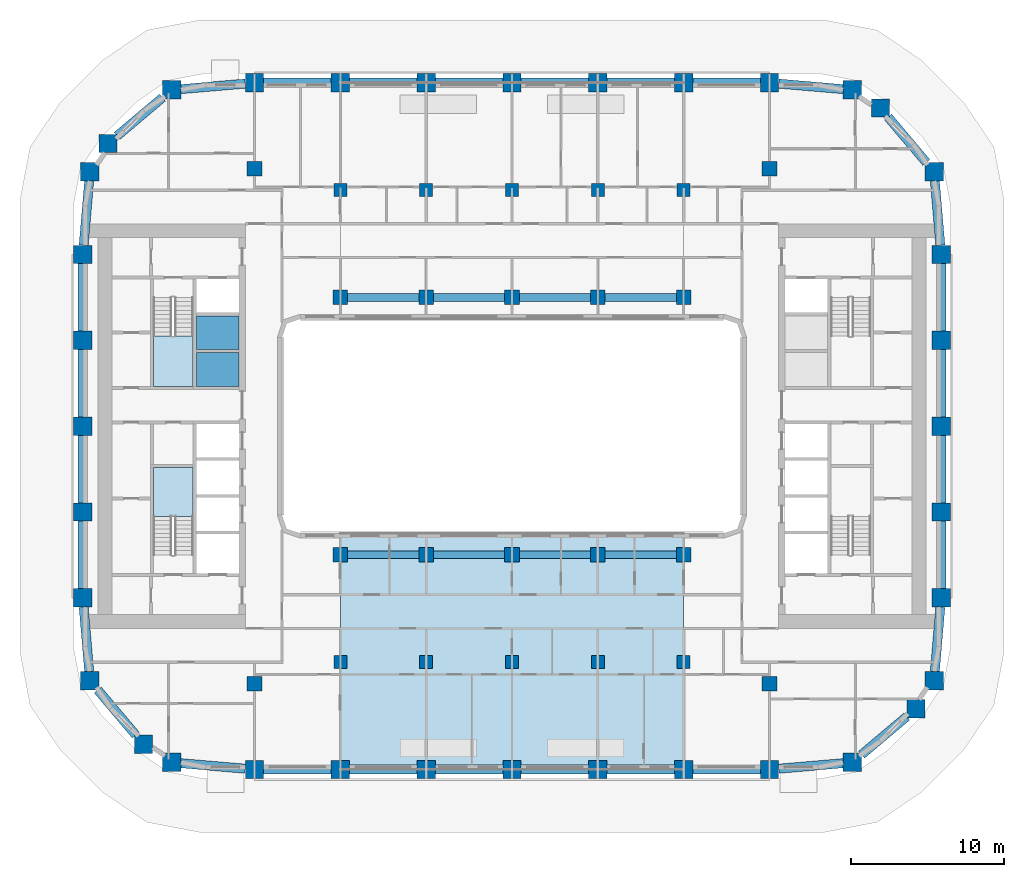
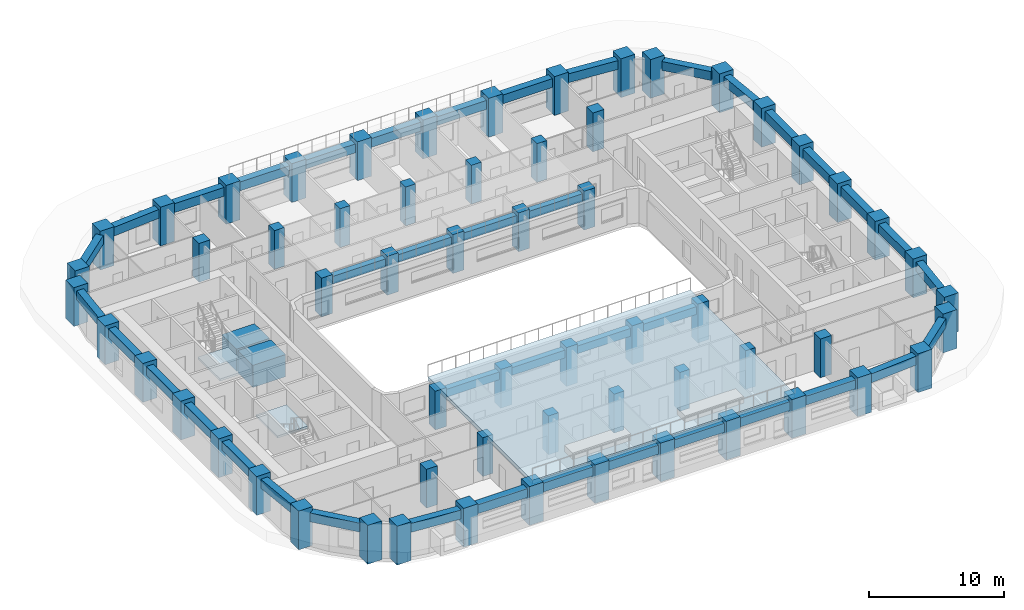
# One storey, part 1 of 18: 60 columns, 40 beams, 5 slabs, 2 elements without a shape of their own.
"""IFC4 building model written with IfcOpenShell, lengths in metres."""

from ifc_helpers import new_model, si_unit, direction, frame, origin, origin_2d, place, context, subcontext, project, spatial, polyline, rectangle, outline, extrude, material, layer, layer_set, material_profile, profile_set, type_object, element, aggregate, save


model = new_model("IFC4")

# Units and contexts
model_context = context("Model", 3, precision=1e-05, world=origin(), true_north=direction((0.0, 1.0)))
body_context = subcontext(model_context, "Body", "Model", "MODEL_VIEW")
ifc_project = project(units=[si_unit("LENGTHUNIT", "METRE"), si_unit("AREAUNIT", "SQUARE_METRE"), si_unit("VOLUMEUNIT", "CUBIC_METRE"), si_unit("PLANEANGLEUNIT", "RADIAN"), si_unit("MASSUNIT", "GRAM", prefix="KILO")], contexts=[model_context])

# Site, building, storey
site_placement = place(None, origin())
site = spatial("IfcSite", under=ifc_project, at=site_placement, CompositionType="ELEMENT")
building_placement = place(site_placement, origin())
building = spatial("IfcBuilding", under=site, at=building_placement, Name="Kiln Ring Residences", CompositionType="ELEMENT")
storey_placement = place(building_placement, frame((0.0, 0.0, 121.800048828125)))
storey = spatial("IfcBuildingStorey", under=building, at=storey_placement, Name="L31", CompositionType="ELEMENT", Elevation=121.800048828125)

# Columns
ifc_material_1 = material(Name="Concrete C80/95", Category="concrete")
ifc_material_profile_1 = material_profile(ifc_material_1, rectangle(XDim=0.85009765625, YDim=0.85009765625, at=origin_2d()), Name="RC850x850")
ifc_profile_set_1 = profile_set([ifc_material_profile_1], Name="Concrete C80/95")
column_type_1 = type_object("IfcColumnType", Name="Corridor column RC850x850 C80/95", PredefinedType="COLUMN", material=ifc_profile_set_1)
for number, where, z_axis, x_axis, name in (
    (1, (-11.199951171875, 15.39990234375, 0.0), (0.0, 0.0, 1.0), (1.0, 0.0, 0.0), "Corridor column L31 1"),
    (2, (-5.60009765625, 15.39990234375, 0.0), (0.0, 0.0, 1.0), (1.0, 0.0, 0.0), "Corridor column L31 2"),
    (3, (0.0, 15.39990234375, 0.0), (0.0, 0.0, 1.0), (1.0, 0.0, 0.0), "Corridor column L31 3"),
    (4, (5.60009765625, 15.39990234375, 0.0), (0.0, 0.0, 1.0), (1.0, 0.0, 0.0), "Corridor column L31 4"),
    (5, (11.199951171875, 15.39990234375, 0.0), (0.0, 0.0, 1.0), (1.0, 0.0, 0.0), "Corridor column L31 5"),
    (6, (-11.199951171875, -15.39990234375, 0.0), (0.0, 0.0, 1.0), (1.0, 0.0, 0.0), "Corridor column L31 6"),
    (7, (-5.60009765625, -15.39990234375, 0.0), (0.0, 0.0, 1.0), (1.0, 0.0, 0.0), "Corridor column L31 7"),
    (8, (0.0, -15.39990234375, 0.0), (0.0, 0.0, 1.0), (1.0, 0.0, 0.0), "Corridor column L31 8"),
    (9, (5.60009765625, -15.39990234375, 0.0), (0.0, 0.0, 1.0), (1.0, 0.0, 0.0), "Corridor column L31 9"),
    (10, (11.199951171875, -15.39990234375, 0.0), (0.0, 0.0, 1.0), (1.0, 0.0, 0.0), "Corridor column L31 10"),
):
    element("IfcColumn", number, at=place(storey_placement, frame(where, z_axis=z_axis, x_axis=x_axis)), inside=storey, type_object=column_type_1, Name=name, PredefinedType="COLUMN", context=body_context, shape_type="SweptSolid", body=[
        extrude(rectangle(XDim=0.85009765625, YDim=0.85009765625, at=origin_2d()), origin(), (0.0, 0.0, 1.0), 3.5),
    ])
ifc_material_2 = material(Name="Concrete C80/95", Category="concrete")
ifc_material_profile_2 = material_profile(ifc_material_2, rectangle(XDim=1.199951171875, YDim=1.199951171875, at=origin_2d()), Name="RC1200x1200")
ifc_profile_set_2 = profile_set([ifc_material_profile_2], Name="Concrete C80/95")
column_type_2 = type_object("IfcColumnType", Name="Perimeter column RC1200x1200 C80/95", PredefinedType="COLUMN", material=ifc_profile_set_2)
for number, where, z_axis, x_axis, name in (
    (11, (-22.208740234375, -21.93798828125, 0.0), (0.0, 0.0, 1.0), (1.0, 0.0, 0.0), "Perimeter column L31 1"),
    (12, (-16.800048828125, -22.39990234375, 0.0), (0.0, 0.0, 1.0), (1.0, 0.0, 0.0), "Perimeter column L31 2"),
    (13, (-11.199951171875, -22.39990234375, 0.0), (0.0, 0.0, 1.0), (1.0, 0.0, 0.0), "Perimeter column L31 3"),
    (14, (-5.60009765625, -22.39990234375, 0.0), (0.0, 0.0, 1.0), (1.0, 0.0, 0.0), "Perimeter column L31 4"),
    (15, (0.0, -22.39990234375, 0.0), (0.0, 0.0, 1.0), (1.0, 0.0, 0.0), "Perimeter column L31 5"),
    (16, (5.60009765625, -22.39990234375, 0.0), (0.0, 0.0, 1.0), (1.0, 0.0, 0.0), "Perimeter column L31 6"),
    (17, (11.199951171875, -22.39990234375, 0.0), (0.0, 0.0, 1.0), (1.0, 0.0, 0.0), "Perimeter column L31 7"),
    (18, (16.800048828125, -22.39990234375, 0.0), (0.0, 0.0, 1.0), (1.0, 0.0, 0.0), "Perimeter column L31 8"),
    (19, (22.208740234375, -21.93798828125, 0.0), (0.0, 0.0, 1.0), (1.0, 0.0, 0.0), "Perimeter column L31 9"),
    (20, (26.35986328125, -18.440185546875, 0.0), (0.0, 0.0, 1.0), (1.0, 0.0, 0.0), "Perimeter column L31 10"),
    (21, (27.5380859375, -16.608642578125, 0.0), (0.0, 0.0, 1.0), (1.0, 0.0, 0.0), "Perimeter column L31 11"),
    (22, (28.0, -11.199951171875, 0.0), (0.0, 0.0, 1.0), (1.0, 0.0, 0.0), "Perimeter column L31 12"),
    (23, (28.0, -5.60009765625, 0.0), (0.0, 0.0, 1.0), (1.0, 0.0, 0.0), "Perimeter column L31 13"),
    (24, (28.0, 0.0, 0.0), (0.0, 0.0, 1.0), (1.0, 0.0, 0.0), "Perimeter column L31 14"),
    (25, (28.0, 5.60009765625, 0.0), (0.0, 0.0, 1.0), (1.0, 0.0, 0.0), "Perimeter column L31 15"),
    (26, (28.0, 11.199951171875, 0.0), (0.0, 0.0, 1.0), (1.0, 0.0, 0.0), "Perimeter column L31 16"),
    (27, (27.5380859375, 16.608642578125, 0.0), (0.0, 0.0, 1.0), (1.0, 0.0, 0.0), "Perimeter column L31 17"),
    (28, (24.040283203125, 20.759765625, 0.0), (0.0, 0.0, 1.0), (1.0, 0.0, 0.0), "Perimeter column L31 18"),
    (29, (22.208740234375, 21.93798828125, 0.0), (0.0, 0.0, 1.0), (1.0, 0.0, 0.0), "Perimeter column L31 19"),
    (30, (16.800048828125, 22.39990234375, 0.0), (0.0, 0.0, 1.0), (1.0, 0.0, 0.0), "Perimeter column L31 20"),
    (31, (11.199951171875, 22.39990234375, 0.0), (0.0, 0.0, 1.0), (1.0, 0.0, 0.0), "Perimeter column L31 21"),
    (32, (5.60009765625, 22.39990234375, 0.0), (0.0, 0.0, 1.0), (1.0, 0.0, 0.0), "Perimeter column L31 22"),
    (33, (0.0, 22.39990234375, 0.0), (0.0, 0.0, 1.0), (1.0, 0.0, 0.0), "Perimeter column L31 23"),
    (34, (-5.60009765625, 22.39990234375, 0.0), (0.0, 0.0, 1.0), (1.0, 0.0, 0.0), "Perimeter column L31 24"),
    (35, (-11.199951171875, 22.39990234375, 0.0), (0.0, 0.0, 1.0), (1.0, 0.0, 0.0), "Perimeter column L31 25"),
    (36, (-16.800048828125, 22.39990234375, 0.0), (0.0, 0.0, 1.0), (1.0, 0.0, 0.0), "Perimeter column L31 26"),
    (37, (-22.208740234375, 21.93798828125, 0.0), (0.0, 0.0, 1.0), (1.0, 0.0, 0.0), "Perimeter column L31 27"),
    (38, (-26.35986328125, 18.440185546875, 0.0), (0.0, 0.0, 1.0), (1.0, 0.0, 0.0), "Perimeter column L31 28"),
    (39, (-27.5380859375, 16.608642578125, 0.0), (0.0, 0.0, 1.0), (1.0, 0.0, 0.0), "Perimeter column L31 29"),
    (40, (-28.0, 11.199951171875, 0.0), (0.0, 0.0, 1.0), (1.0, 0.0, 0.0), "Perimeter column L31 30"),
    (41, (-28.0, 5.60009765625, 0.0), (0.0, 0.0, 1.0), (1.0, 0.0, 0.0), "Perimeter column L31 31"),
    (42, (-28.0, 0.0, 0.0), (0.0, 0.0, 1.0), (1.0, 0.0, 0.0), "Perimeter column L31 32"),
    (43, (-28.0, -5.60009765625, 0.0), (0.0, 0.0, 1.0), (1.0, 0.0, 0.0), "Perimeter column L31 33"),
    (44, (-28.0, -11.199951171875, 0.0), (0.0, 0.0, 1.0), (1.0, 0.0, 0.0), "Perimeter column L31 34"),
    (45, (-27.5380859375, -16.608642578125, 0.0), (0.0, 0.0, 1.0), (1.0, 0.0, 0.0), "Perimeter column L31 35"),
    (46, (-24.040283203125, -20.759765625, 0.0), (0.0, 0.0, 1.0), (1.0, 0.0, 0.0), "Perimeter column L31 36"),
):
    element("IfcColumn", number, at=place(storey_placement, frame(where, z_axis=z_axis, x_axis=x_axis)), inside=storey, type_object=column_type_2, Name=name, PredefinedType="COLUMN", context=body_context, shape_type="SweptSolid", body=[
        extrude(rectangle(XDim=1.199951171875, YDim=1.199951171875, at=origin_2d()), origin(), (0.0, 0.0, 1.0), 3.5),
    ])
ifc_material_3 = material(Name="Concrete C80/95", Category="concrete")
ifc_material_profile_3 = material_profile(ifc_material_3, rectangle(XDim=0.949951171875, YDim=0.949951171875, at=origin_2d()), Name="RC950x950")
ifc_profile_set_3 = profile_set([ifc_material_profile_3], Name="Concrete C80/95")
column_type_3 = type_object("IfcColumnType", Name="Ring column RC950x950 C80/95", PredefinedType="COLUMN", material=ifc_profile_set_3)
for number, where, z_axis, x_axis, name in (
    (47, (-16.800048828125, -16.800048828125, 0.0), (0.0, 0.0, 1.0), (1.0, 0.0, 0.0), "Ring column L31 1"),
    (48, (-16.800048828125, 16.800048828125, 0.0), (0.0, 0.0, 1.0), (1.0, 0.0, 0.0), "Ring column L31 2"),
    (49, (-11.199951171875, -8.39990234375, 0.0), (0.0, 0.0, 1.0), (1.0, 0.0, 0.0), "Ring column L31 3"),
    (50, (-11.199951171875, 8.39990234375, 0.0), (0.0, 0.0, 1.0), (1.0, 0.0, 0.0), "Ring column L31 4"),
    (51, (-5.60009765625, -8.39990234375, 0.0), (0.0, 0.0, 1.0), (1.0, 0.0, 0.0), "Ring column L31 5"),
    (52, (-5.60009765625, 8.39990234375, 0.0), (0.0, 0.0, 1.0), (1.0, 0.0, 0.0), "Ring column L31 6"),
    (53, (0.0, -8.39990234375, 0.0), (0.0, 0.0, 1.0), (1.0, 0.0, 0.0), "Ring column L31 7"),
    (54, (0.0, 8.39990234375, 0.0), (0.0, 0.0, 1.0), (1.0, 0.0, 0.0), "Ring column L31 8"),
    (55, (5.60009765625, -8.39990234375, 0.0), (0.0, 0.0, 1.0), (1.0, 0.0, 0.0), "Ring column L31 9"),
    (56, (5.60009765625, 8.39990234375, 0.0), (0.0, 0.0, 1.0), (1.0, 0.0, 0.0), "Ring column L31 10"),
    (57, (11.199951171875, -8.39990234375, 0.0), (0.0, 0.0, 1.0), (1.0, 0.0, 0.0), "Ring column L31 11"),
    (58, (11.199951171875, 8.39990234375, 0.0), (0.0, 0.0, 1.0), (1.0, 0.0, 0.0), "Ring column L31 12"),
    (59, (16.800048828125, -16.800048828125, 0.0), (0.0, 0.0, 1.0), (1.0, 0.0, 0.0), "Ring column L31 13"),
    (60, (16.800048828125, 16.800048828125, 0.0), (0.0, 0.0, 1.0), (1.0, 0.0, 0.0), "Ring column L31 14"),
):
    element("IfcColumn", number, at=place(storey_placement, frame(where, z_axis=z_axis, x_axis=x_axis)), inside=storey, type_object=column_type_3, Name=name, PredefinedType="COLUMN", context=body_context, shape_type="SweptSolid", body=[
        extrude(rectangle(XDim=0.949951171875, YDim=0.949951171875, at=origin_2d()), origin(), (0.0, 0.0, 1.0), 3.5),
    ])

# Beams
ifc_material_4 = material(Name="Concrete C50/60", Category="concrete")
ifc_material_profile_4 = material_profile(ifc_material_4, rectangle(XDim=0.5, YDim=0.699951171875, at=origin_2d()), Name="RC500x700")
ifc_profile_set_4 = profile_set([ifc_material_profile_4], Name="Concrete C50/60")
beam_type_1 = type_object("IfcBeamType", Name="Ring beam RC500x700 C50/60", PredefinedType="BEAM", material=ifc_profile_set_4)
beam_1_placement = place(storey_placement, frame((-10.72509765625, -8.39990234375, 2.800048828125), z_axis=(1.0, 0.0, 0.0), x_axis=(0.0, 1.0, 0.0)))
element("IfcBeam", 61, at=beam_1_placement, inside=storey, type_object=beam_type_1, Name="Ring beam L31 1", PredefinedType="BEAM", context=body_context, shape_type="SweptSolid", body=[
    extrude(rectangle(XDim=0.5, YDim=0.699951171875, at=origin_2d()), origin(), (0.0, 0.0, 1.0), 4.650146484375),
])
for number, where, z_axis, x_axis, name in (
    (62, (-5.125, -8.39990234375, 2.800048828125), (1.0, 0.0, 0.0), (0.0, 1.0, 0.0), "Ring beam L31 2"),
    (63, (0.47509765625, -8.39990234375, 2.800048828125), (1.0, 0.0, 0.0), (0.0, 1.0, 0.0), "Ring beam L31 3"),
):
    element("IfcBeam", number, at=place(storey_placement, frame(where, z_axis=z_axis, x_axis=x_axis)), inside=storey, type_object=beam_type_1, Name=name, PredefinedType="BEAM", context=body_context, shape_type="SweptSolid", body=[
        extrude(rectangle(XDim=0.5, YDim=0.699951171875, at=origin_2d()), origin(), (0.0, 0.0, 1.0), 4.64990234375),
    ])
for number, where, z_axis, x_axis, name in (
    (64, (6.074951171875, -8.39990234375, 2.800048828125), (1.0, 0.0, 0.0), (0.0, 1.0, 0.0), "Ring beam L31 4"),
    (65, (-10.72509765625, 8.39990234375, 2.800048828125), (1.0, 0.0, 0.0), (0.0, 1.0, 0.0), "Ring beam L31 5"),
):
    element("IfcBeam", number, at=place(storey_placement, frame(where, z_axis=z_axis, x_axis=x_axis)), inside=storey, type_object=beam_type_1, Name=name, PredefinedType="BEAM", context=body_context, shape_type="SweptSolid", body=[
        extrude(rectangle(XDim=0.5, YDim=0.699951171875, at=origin_2d()), origin(), (0.0, 0.0, 1.0), 4.650146484375),
    ])
for number, where, z_axis, x_axis, name in (
    (66, (-5.125, 8.39990234375, 2.800048828125), (1.0, 0.0, 0.0), (0.0, 1.0, 0.0), "Ring beam L31 6"),
    (67, (0.47509765625, 8.39990234375, 2.800048828125), (1.0, 0.0, 0.0), (0.0, 1.0, 0.0), "Ring beam L31 7"),
):
    element("IfcBeam", number, at=place(storey_placement, frame(where, z_axis=z_axis, x_axis=x_axis)), inside=storey, type_object=beam_type_1, Name=name, PredefinedType="BEAM", context=body_context, shape_type="SweptSolid", body=[
        extrude(rectangle(XDim=0.5, YDim=0.699951171875, at=origin_2d()), origin(), (0.0, 0.0, 1.0), 4.64990234375),
    ])
beam_2_placement = place(storey_placement, frame((6.074951171875, 8.39990234375, 2.800048828125), z_axis=(1.0, 0.0, 0.0), x_axis=(0.0, 1.0, 0.0)))
element("IfcBeam", 68, at=beam_2_placement, inside=storey, type_object=beam_type_1, Name="Ring beam L31 8", PredefinedType="BEAM", context=body_context, shape_type="SweptSolid", body=[
    extrude(rectangle(XDim=0.5, YDim=0.699951171875, at=origin_2d()), origin(), (0.0, 0.0, 1.0), 4.650146484375),
])
ifc_material_5 = material(Name="Concrete C50/60", Category="concrete")
ifc_material_profile_5 = material_profile(ifc_material_5, rectangle(XDim=0.60009765625, YDim=0.800048828125, at=origin_2d()), Name="RC600x800")
ifc_profile_set_5 = profile_set([ifc_material_profile_5], Name="Concrete C50/60")
beam_type_2 = type_object("IfcBeamType", Name="Spandrel beam RC600x800 C50/60", PredefinedType="SPANDREL", material=ifc_profile_set_5)
beam_3_placement = place(storey_placement, frame((-21.608642578125, -21.9892578125, 2.75), z_axis=(0.996369376645, -0.085135570033, 0.0), x_axis=(0.085135570033, 0.996369376645, 0.0)))
element("IfcBeam", 69, at=beam_3_placement, inside=storey, type_object=beam_type_2, Name="Spandrel beam L31 1", PredefinedType="SPANDREL", context=body_context, shape_type="SweptSolid", body=[
    extrude(rectangle(XDim=0.60009765625, YDim=0.800048828125, at=origin_2d()), origin(), (0.0, 0.0, 1.0), 4.22412109375),
])
beam_4_placement = place(storey_placement, frame((-16.199951171875, -22.39990234375, 2.75), z_axis=(1.0, 0.0, 0.0), x_axis=(0.0, 1.0, 0.0)))
element("IfcBeam", 70, at=beam_4_placement, inside=storey, type_object=beam_type_2, Name="Spandrel beam L31 2", PredefinedType="SPANDREL", context=body_context, shape_type="SweptSolid", body=[
    extrude(rectangle(XDim=0.60009765625, YDim=0.800048828125, at=origin_2d()), origin(), (0.0, 0.0, 1.0), 4.39990234375),
])
beam_5_placement = place(storey_placement, frame((-10.60009765625, -22.39990234375, 2.75), z_axis=(1.0, 0.0, 0.0), x_axis=(0.0, 1.0, 0.0)))
element("IfcBeam", 71, at=beam_5_placement, inside=storey, type_object=beam_type_2, Name="Spandrel beam L31 3", PredefinedType="SPANDREL", context=body_context, shape_type="SweptSolid", body=[
    extrude(rectangle(XDim=0.60009765625, YDim=0.800048828125, at=origin_2d()), origin(), (0.0, 0.0, 1.0), 4.400146484375),
])
for number, where, z_axis, x_axis, name in (
    (72, (-5.0, -22.39990234375, 2.75), (1.0, 0.0, 0.0), (0.0, 1.0, 0.0), "Spandrel beam L31 4"),
    (73, (0.60009765625, -22.39990234375, 2.75), (1.0, 0.0, 0.0), (0.0, 1.0, 0.0), "Spandrel beam L31 5"),
):
    element("IfcBeam", number, at=place(storey_placement, frame(where, z_axis=z_axis, x_axis=x_axis)), inside=storey, type_object=beam_type_2, Name=name, PredefinedType="SPANDREL", context=body_context, shape_type="SweptSolid", body=[
        extrude(rectangle(XDim=0.60009765625, YDim=0.800048828125, at=origin_2d()), origin(), (0.0, 0.0, 1.0), 4.39990234375),
    ])
beam_6_placement = place(storey_placement, frame((6.199951171875, -22.39990234375, 2.75), z_axis=(1.0, 0.0, 0.0), x_axis=(0.0, 1.0, 0.0)))
element("IfcBeam", 74, at=beam_6_placement, inside=storey, type_object=beam_type_2, Name="Spandrel beam L31 6", PredefinedType="SPANDREL", context=body_context, shape_type="SweptSolid", body=[
    extrude(rectangle(XDim=0.60009765625, YDim=0.800048828125, at=origin_2d()), origin(), (0.0, 0.0, 1.0), 4.400146484375),
])
beam_7_placement = place(storey_placement, frame((11.800048828125, -22.39990234375, 2.75), z_axis=(1.0, 0.0, 0.0), x_axis=(0.0, 1.0, 0.0)))
element("IfcBeam", 75, at=beam_7_placement, inside=storey, type_object=beam_type_2, Name="Spandrel beam L31 7", PredefinedType="SPANDREL", context=body_context, shape_type="SweptSolid", body=[
    extrude(rectangle(XDim=0.60009765625, YDim=0.800048828125, at=origin_2d()), origin(), (0.0, 0.0, 1.0), 4.39990234375),
])
beam_8_placement = place(storey_placement, frame((17.39990234375, -22.348876953125, 2.75), z_axis=(0.996369376645, 0.085135570033, 0.0), x_axis=(-0.085135570033, 0.996369376645, 0.0)))
element("IfcBeam", 76, at=beam_8_placement, inside=storey, type_object=beam_type_2, Name="Spandrel beam L31 8", PredefinedType="SPANDREL", context=body_context, shape_type="SweptSolid", body=[
    extrude(rectangle(XDim=0.60009765625, YDim=0.800048828125, at=origin_2d()), origin(), (0.0, 0.0, 1.0), 4.22412109375),
])
beam_9_placement = place(storey_placement, frame((22.80859375, -21.4326171875, 2.75), z_axis=(0.764704456802, 0.644381171161, 0.0), x_axis=(-0.644381171161, 0.764704456802, 0.0)))
element("IfcBeam", 77, at=beam_9_placement, inside=storey, type_object=beam_type_2, Name="Spandrel beam L31 9", PredefinedType="SPANDREL", context=body_context, shape_type="SweptSolid", body=[
    extrude(rectangle(XDim=0.60009765625, YDim=0.800048828125, at=origin_2d()), origin(), (0.0, 0.0, 1.0), 3.859130859375),
])
beam_10_placement = place(storey_placement, frame((27.58935546875, -16.0087890625, 2.75), z_axis=(0.085078191129, 0.996374277766, 0.0), x_axis=(-0.996374277766, 0.085078191129, 0.0)))
element("IfcBeam", 78, at=beam_10_placement, inside=storey, type_object=beam_type_2, Name="Spandrel beam L31 10", PredefinedType="SPANDREL", context=body_context, shape_type="SweptSolid", body=[
    extrude(rectangle(XDim=0.60009765625, YDim=0.800048828125, at=origin_2d()), origin(), (0.0, 0.0, 1.0), 4.22412109375),
])
beam_11_placement = place(storey_placement, frame((28.0, -10.60009765625, 2.75), z_axis=(0.0, 1.0, 0.0), x_axis=(-1.0, 0.0, 0.0)))
element("IfcBeam", 79, at=beam_11_placement, inside=storey, type_object=beam_type_2, Name="Spandrel beam L31 11", PredefinedType="SPANDREL", context=body_context, shape_type="SweptSolid", body=[
    extrude(rectangle(XDim=0.60009765625, YDim=0.800048828125, at=origin_2d()), origin(), (0.0, 0.0, 1.0), 4.400146484375),
])
for number, where, z_axis, x_axis, name in (
    (80, (28.0, -5.0, 2.75), (0.0, 1.0, 0.0), (-1.0, 0.0, 0.0), "Spandrel beam L31 12"),
    (81, (28.0, 0.60009765625, 2.75), (0.0, 1.0, 0.0), (-1.0, 0.0, 0.0), "Spandrel beam L31 13"),
):
    element("IfcBeam", number, at=place(storey_placement, frame(where, z_axis=z_axis, x_axis=x_axis)), inside=storey, type_object=beam_type_2, Name=name, PredefinedType="SPANDREL", context=body_context, shape_type="SweptSolid", body=[
        extrude(rectangle(XDim=0.60009765625, YDim=0.800048828125, at=origin_2d()), origin(), (0.0, 0.0, 1.0), 4.39990234375),
    ])
beam_12_placement = place(storey_placement, frame((28.0, 6.199951171875, 2.75), z_axis=(0.0, 1.0, 0.0), x_axis=(-1.0, 0.0, 0.0)))
element("IfcBeam", 82, at=beam_12_placement, inside=storey, type_object=beam_type_2, Name="Spandrel beam L31 14", PredefinedType="SPANDREL", context=body_context, shape_type="SweptSolid", body=[
    extrude(rectangle(XDim=0.60009765625, YDim=0.800048828125, at=origin_2d()), origin(), (0.0, 0.0, 1.0), 4.400146484375),
])
beam_13_placement = place(storey_placement, frame((27.94873046875, 11.800048828125, 2.75), z_axis=(-0.085078191129, 0.996374277766, 0.0), x_axis=(-0.996374277766, -0.085078191129, 0.0)))
element("IfcBeam", 83, at=beam_13_placement, inside=storey, type_object=beam_type_2, Name="Spandrel beam L31 15", PredefinedType="SPANDREL", context=body_context, shape_type="SweptSolid", body=[
    extrude(rectangle(XDim=0.60009765625, YDim=0.800048828125, at=origin_2d()), origin(), (0.0, 0.0, 1.0), 4.22412109375),
])
beam_14_placement = place(storey_placement, frame((27.032470703125, 17.208740234375, 2.75), z_axis=(-0.644344175314, 0.764735629965, 0.0), x_axis=(-0.764735629965, -0.644344175314, 0.0)))
element("IfcBeam", 84, at=beam_14_placement, inside=storey, type_object=beam_type_2, Name="Spandrel beam L31 16", PredefinedType="SPANDREL", context=body_context, shape_type="SweptSolid", body=[
    extrude(rectangle(XDim=0.60009765625, YDim=0.800048828125, at=origin_2d()), origin(), (0.0, 0.0, 1.0), 3.859130859375),
])
beam_15_placement = place(storey_placement, frame((21.608642578125, 21.9892578125, 2.75), z_axis=(-0.996369376645, 0.085135570033, 0.0), x_axis=(-0.085135570033, -0.996369376645, 0.0)))
element("IfcBeam", 85, at=beam_15_placement, inside=storey, type_object=beam_type_2, Name="Spandrel beam L31 17", PredefinedType="SPANDREL", context=body_context, shape_type="SweptSolid", body=[
    extrude(rectangle(XDim=0.60009765625, YDim=0.800048828125, at=origin_2d()), origin(), (0.0, 0.0, 1.0), 4.22412109375),
])
beam_16_placement = place(storey_placement, frame((16.199951171875, 22.39990234375, 2.75), z_axis=(-1.0, 0.0, 0.0), x_axis=(0.0, -1.0, 0.0)))
element("IfcBeam", 86, at=beam_16_placement, inside=storey, type_object=beam_type_2, Name="Spandrel beam L31 18", PredefinedType="SPANDREL", context=body_context, shape_type="SweptSolid", body=[
    extrude(rectangle(XDim=0.60009765625, YDim=0.800048828125, at=origin_2d()), origin(), (0.0, 0.0, 1.0), 4.39990234375),
])
beam_17_placement = place(storey_placement, frame((10.60009765625, 22.39990234375, 2.75), z_axis=(-1.0, 0.0, 0.0), x_axis=(0.0, -1.0, 0.0)))
element("IfcBeam", 87, at=beam_17_placement, inside=storey, type_object=beam_type_2, Name="Spandrel beam L31 19", PredefinedType="SPANDREL", context=body_context, shape_type="SweptSolid", body=[
    extrude(rectangle(XDim=0.60009765625, YDim=0.800048828125, at=origin_2d()), origin(), (0.0, 0.0, 1.0), 4.400146484375),
])
for number, where, z_axis, x_axis, name in (
    (88, (5.0, 22.39990234375, 2.75), (-1.0, 0.0, 0.0), (0.0, -1.0, 0.0), "Spandrel beam L31 20"),
    (89, (-0.60009765625, 22.39990234375, 2.75), (-1.0, 0.0, 0.0), (0.0, -1.0, 0.0), "Spandrel beam L31 21"),
):
    element("IfcBeam", number, at=place(storey_placement, frame(where, z_axis=z_axis, x_axis=x_axis)), inside=storey, type_object=beam_type_2, Name=name, PredefinedType="SPANDREL", context=body_context, shape_type="SweptSolid", body=[
        extrude(rectangle(XDim=0.60009765625, YDim=0.800048828125, at=origin_2d()), origin(), (0.0, 0.0, 1.0), 4.39990234375),
    ])
beam_18_placement = place(storey_placement, frame((-6.199951171875, 22.39990234375, 2.75), z_axis=(-1.0, 0.0, 0.0), x_axis=(0.0, -1.0, 0.0)))
element("IfcBeam", 90, at=beam_18_placement, inside=storey, type_object=beam_type_2, Name="Spandrel beam L31 22", PredefinedType="SPANDREL", context=body_context, shape_type="SweptSolid", body=[
    extrude(rectangle(XDim=0.60009765625, YDim=0.800048828125, at=origin_2d()), origin(), (0.0, 0.0, 1.0), 4.400146484375),
])
beam_19_placement = place(storey_placement, frame((-11.800048828125, 22.39990234375, 2.75), z_axis=(-1.0, 0.0, 0.0), x_axis=(0.0, -1.0, 0.0)))
element("IfcBeam", 91, at=beam_19_placement, inside=storey, type_object=beam_type_2, Name="Spandrel beam L31 23", PredefinedType="SPANDREL", context=body_context, shape_type="SweptSolid", body=[
    extrude(rectangle(XDim=0.60009765625, YDim=0.800048828125, at=origin_2d()), origin(), (0.0, 0.0, 1.0), 4.39990234375),
])
beam_20_placement = place(storey_placement, frame((-17.39990234375, 22.348876953125, 2.75), z_axis=(-0.996369376645, -0.085135570033, 0.0), x_axis=(0.085135570033, -0.996369376645, 0.0)))
element("IfcBeam", 92, at=beam_20_placement, inside=storey, type_object=beam_type_2, Name="Spandrel beam L31 24", PredefinedType="SPANDREL", context=body_context, shape_type="SweptSolid", body=[
    extrude(rectangle(XDim=0.60009765625, YDim=0.800048828125, at=origin_2d()), origin(), (0.0, 0.0, 1.0), 4.22412109375),
])
beam_21_placement = place(storey_placement, frame((-22.80859375, 21.4326171875, 2.75), z_axis=(-0.764704456802, -0.644381171161, 0.0), x_axis=(0.644381171161, -0.764704456802, 0.0)))
element("IfcBeam", 93, at=beam_21_placement, inside=storey, type_object=beam_type_2, Name="Spandrel beam L31 25", PredefinedType="SPANDREL", context=body_context, shape_type="SweptSolid", body=[
    extrude(rectangle(XDim=0.60009765625, YDim=0.800048828125, at=origin_2d()), origin(), (0.0, 0.0, 1.0), 3.859130859375),
])
beam_22_placement = place(storey_placement, frame((-27.58935546875, 16.0087890625, 2.75), z_axis=(-0.085078191129, -0.996374277766, 0.0), x_axis=(0.996374277766, -0.085078191129, 0.0)))
element("IfcBeam", 94, at=beam_22_placement, inside=storey, type_object=beam_type_2, Name="Spandrel beam L31 26", PredefinedType="SPANDREL", context=body_context, shape_type="SweptSolid", body=[
    extrude(rectangle(XDim=0.60009765625, YDim=0.800048828125, at=origin_2d()), origin(), (0.0, 0.0, 1.0), 4.22412109375),
])
beam_23_placement = place(storey_placement, frame((-28.0, 10.60009765625, 2.75), z_axis=(0.0, -1.0, 0.0), x_axis=(1.0, 0.0, 0.0)))
element("IfcBeam", 95, at=beam_23_placement, inside=storey, type_object=beam_type_2, Name="Spandrel beam L31 27", PredefinedType="SPANDREL", context=body_context, shape_type="SweptSolid", body=[
    extrude(rectangle(XDim=0.60009765625, YDim=0.800048828125, at=origin_2d()), origin(), (0.0, 0.0, 1.0), 4.400146484375),
])
for number, where, z_axis, x_axis, name in (
    (96, (-28.0, 5.0, 2.75), (0.0, -1.0, 0.0), (1.0, 0.0, 0.0), "Spandrel beam L31 28"),
    (97, (-28.0, -0.60009765625, 2.75), (0.0, -1.0, 0.0), (1.0, 0.0, 0.0), "Spandrel beam L31 29"),
):
    element("IfcBeam", number, at=place(storey_placement, frame(where, z_axis=z_axis, x_axis=x_axis)), inside=storey, type_object=beam_type_2, Name=name, PredefinedType="SPANDREL", context=body_context, shape_type="SweptSolid", body=[
        extrude(rectangle(XDim=0.60009765625, YDim=0.800048828125, at=origin_2d()), origin(), (0.0, 0.0, 1.0), 4.39990234375),
    ])
beam_24_placement = place(storey_placement, frame((-28.0, -6.199951171875, 2.75), z_axis=(0.0, -1.0, 0.0), x_axis=(1.0, 0.0, 0.0)))
element("IfcBeam", 98, at=beam_24_placement, inside=storey, type_object=beam_type_2, Name="Spandrel beam L31 30", PredefinedType="SPANDREL", context=body_context, shape_type="SweptSolid", body=[
    extrude(rectangle(XDim=0.60009765625, YDim=0.800048828125, at=origin_2d()), origin(), (0.0, 0.0, 1.0), 4.400146484375),
])
beam_25_placement = place(storey_placement, frame((-27.94873046875, -11.800048828125, 2.75), z_axis=(0.085078191129, -0.996374277766, 0.0), x_axis=(0.996374277766, 0.085078191129, 0.0)))
element("IfcBeam", 99, at=beam_25_placement, inside=storey, type_object=beam_type_2, Name="Spandrel beam L31 31", PredefinedType="SPANDREL", context=body_context, shape_type="SweptSolid", body=[
    extrude(rectangle(XDim=0.60009765625, YDim=0.800048828125, at=origin_2d()), origin(), (0.0, 0.0, 1.0), 4.22412109375),
])
beam_26_placement = place(storey_placement, frame((-27.032470703125, -17.208740234375, 2.75), z_axis=(0.644344175314, -0.764735629965, 0.0), x_axis=(0.764735629965, 0.644344175314, 0.0)))
element("IfcBeam", 100, at=beam_26_placement, inside=storey, type_object=beam_type_2, Name="Spandrel beam L31 32", PredefinedType="SPANDREL", context=body_context, shape_type="SweptSolid", body=[
    extrude(rectangle(XDim=0.60009765625, YDim=0.800048828125, at=origin_2d()), origin(), (0.0, 0.0, 1.0), 3.859130859375),
])

# Slabs
ifc_material_6 = material(Name="Concrete C40/50", Category="concrete")
ifc_layer_1 = layer(ifc_material_6, 2.0)
ifc_layer_set_1 = layer_set([ifc_layer_1], Name="CORE-PIT-BASE")
slab_type_1 = type_object("IfcSlabType", Name="CORE-PIT-BASE", PredefinedType="USERDEFINED", material=ifc_layer_set_1)
placement_1 = place(storey_placement, origin())
element("IfcSlab", 101, at=placement_1, inside=storey, type_object=slab_type_1, Name="Lift pit base W-M1", ObjectType="Lift pit base", PredefinedType="USERDEFINED", context=body_context, shape_type="SweptSolid", body=[
    extrude(outline(polyline([(-17.800048828125, 2.60009765625), (-17.800048828125, 4.800048828125), (-20.60009765625, 4.800048828125), (-20.60009765625, 2.60009765625), (-17.800048828125, 2.60009765625)])), origin(), (0.0, 0.0, 1.0), 2.0),
])
element("IfcSlab", 102, at=placement_1, inside=storey, type_object=slab_type_1, Name="Lift pit base W-M2", ObjectType="Lift pit base", PredefinedType="USERDEFINED", context=body_context, shape_type="SweptSolid", body=[
    extrude(outline(polyline([(-17.800048828125, 5.0), (-17.800048828125, 7.199951171875), (-20.60009765625, 7.199951171875), (-20.60009765625, 5.0), (-17.800048828125, 5.0)])), origin(), (0.0, 0.0, 1.0), 2.0),
])

# Stair, slab
ifc_material_7 = material(Name="Concrete C40/50", Category="concrete")
stair_type = type_object("IfcStairType", Name="CORE-STAIR", PredefinedType="HALF_TURN_STAIR", material=ifc_material_7)
stair_1 = element("IfcStair", 103, at=placement_1, inside=storey, type_object=stair_type, Name="L31 stair W-STN", PredefinedType="HALF_TURN_STAIR")
ifc_material_8 = material(Name="Concrete C40/50", Category="concrete")
ifc_layer_2 = layer(ifc_material_8, 0.199951171875)
ifc_layer_set_2 = layer_set([ifc_layer_2], Name="CORE-STAIR-LANDING")
slab_type_2 = type_object("IfcSlabType", Name="CORE-STAIR-LANDING", PredefinedType="LANDING", material=ifc_layer_set_2)
placement_2 = place(storey_placement, frame((0.0, 0.0, 1.550048828125)))
slab_3 = element("IfcSlab", 104, at=placement_2, type_object=slab_type_2, Name="W-STN landing 1", PredefinedType="LANDING", context=body_context, shape_type="SweptSolid", body=[
    extrude(outline(polyline([(-23.39990234375, 5.8798828125), (-23.39990234375, 2.60009765625), (-20.800048828125, 2.60009765625), (-20.800048828125, 5.8798828125), (-23.39990234375, 5.8798828125)])), origin(), (0.0, 0.0, 1.0), 0.199951171875),
])
aggregate(stair_1, [slab_3])

stair_2 = element("IfcStair", 105, at=placement_1, inside=storey, type_object=stair_type, Name="L31 stair W-STS", PredefinedType="HALF_TURN_STAIR")
slab_4 = element("IfcSlab", 106, at=placement_2, type_object=slab_type_2, Name="W-STS landing 1", PredefinedType="LANDING", context=body_context, shape_type="SweptSolid", body=[
    extrude(outline(polyline([(-20.800048828125, -5.8798828125), (-20.800048828125, -2.699951171875), (-23.39990234375, -2.699951171875), (-23.39990234375, -5.8798828125), (-20.800048828125, -5.8798828125)])), origin(), (0.0, 0.0, 1.0), 0.199951171875),
])
aggregate(stair_2, [slab_4])

# Slab
ifc_material_9 = material(Name="Concrete C40/50", Category="concrete")
ifc_layer_3 = layer(ifc_material_9, 0.35009765625)
ifc_layer_set_3 = layer_set([ifc_layer_3], Name="Roof slab 350")
slab_type_3 = type_object("IfcSlabType", Name="Roof slab 350", PredefinedType="ROOF", material=ifc_layer_set_3)
slab_5_placement = place(storey_placement, frame((0.0, 0.0, 3.14990234375)))
element("IfcSlab", 107, at=slab_5_placement, inside=storey, type_object=slab_type_3, Name="Roof slab L31 1", PredefinedType="ROOF", context=body_context, shape_type="SweptSolid", body=[
    extrude(outline(polyline([(11.199462890625, -22.39990234375), (11.199462890625, -7.0), (-11.199462890625, -7.0), (-11.199462890625, -22.39990234375), (11.199462890625, -22.39990234375)])), origin(), (0.0, 0.0, 1.0), 0.35009765625),
])

save(model, "model.ifc")
